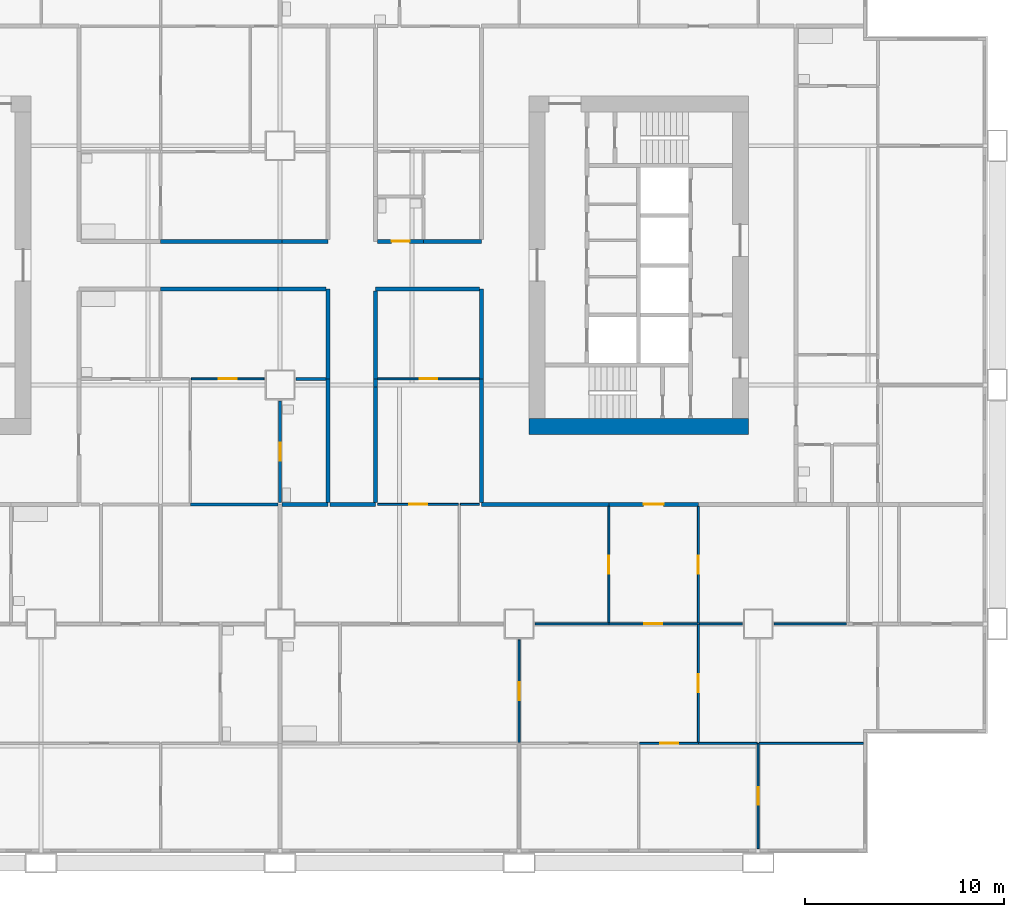
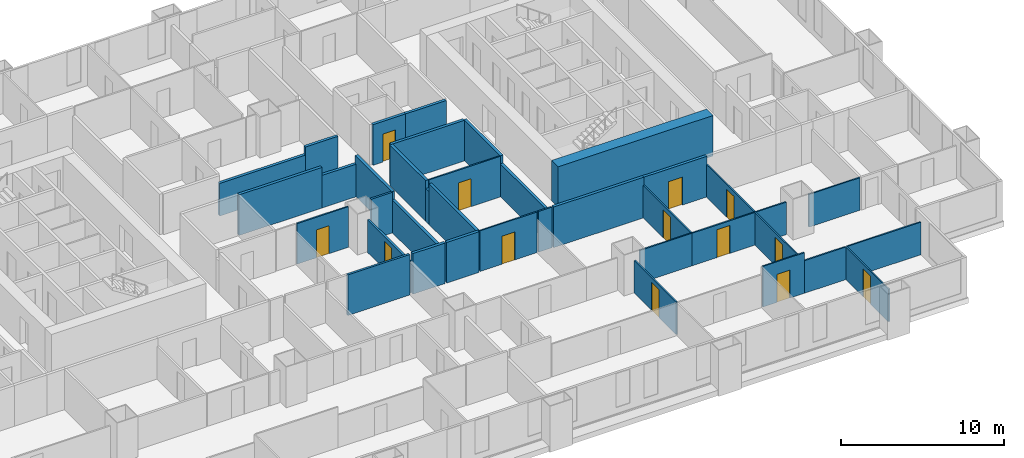
# One storey, part 6 of 14: 38 walls, 13 doors, 13 openings.
"""IFC4 building model written with IfcOpenShell, lengths in metres."""

from ifc_helpers import new_model, si_unit, direction, frame, frame_2d, origin, place, context, subcontext, project, spatial, rectangle, extrude, material, layer, layer_set, type_object, element, fill, save


model = new_model("IFC4")

# Units and contexts
model_context = context("Model", 3, precision=1e-05, world=origin(), true_north=direction((0.0, 1.0)))
body_context = subcontext(model_context, "Body", "Model", "MODEL_VIEW")
ifc_project = project(units=[si_unit("LENGTHUNIT", "METRE"), si_unit("AREAUNIT", "SQUARE_METRE"), si_unit("VOLUMEUNIT", "CUBIC_METRE"), si_unit("PLANEANGLEUNIT", "RADIAN"), si_unit("MASSUNIT", "GRAM", prefix="KILO")], contexts=[model_context])

# Site, building, storey
site_placement = place(None, origin())
site = spatial("IfcSite", under=ifc_project, at=site_placement, CompositionType="ELEMENT")
building_placement = place(site_placement, origin())
building = spatial("IfcBuilding", under=site, at=building_placement, Name="Kitamizu Gate Tower and Museum", CompositionType="ELEMENT")
storey_placement = place(building_placement, frame((0.0, 0.0, 74.85009765625)))
storey = spatial("IfcBuildingStorey", under=building, at=storey_placement, Name="L18", CompositionType="ELEMENT", Elevation=74.85009765625)

# Wall
ifc_material_1 = material(Name="Concrete Fc60", Category="concrete")
ifc_layer_1 = layer(ifc_material_1, 0.800048828125)
ifc_layer_set_1 = layer_set([ifc_layer_1], Name="Concrete Fc60")
wall_type_1 = type_object("IfcWallType", Name="Core wall 800", PredefinedType="SHEAR", material=ifc_layer_set_1)
wall_1_placement = place(storey_placement, frame((59.5, 21.89990234375, 0.0), z_axis=(0.0, 0.0, 1.0), x_axis=(-1.0, 0.0, 0.0)))
element("IfcWall", 1, at=wall_1_placement, inside=storey, type_object=wall_type_1, Name="Core wall ES", PredefinedType="SHEAR", context=body_context, shape_type="SweptSolid", body=[
    extrude(rectangle(XDim=11.0, YDim=0.800048828125, at=frame_2d((5.5, 0.0))), origin(), (0.0, 0.0, 1.0), 3.0498046875),
])

# Wall, opening, door
ifc_material_2 = material(Name="Gypsum board on galvanised stud")
ifc_layer_2 = layer(ifc_material_2, 0.10009765625)
ifc_layer_set_2 = layer_set([ifc_layer_2], Name="Gypsum board on galvanised stud")
wall_type_2 = type_object("IfcWallType", Name="Partition 100 NOT RATED", PredefinedType="PARTITIONING", material=ifc_layer_set_2)
wall_2_placement = place(storey_placement, frame((35.199951171875, 24.300048828125, 0.0), z_axis=(0.0, 0.0, 1.0), x_axis=(-1.0, 0.0, 0.0)))
wall_2 = element("IfcWall", 2, at=wall_2_placement, inside=storey, type_object=wall_type_2, Name="Partition L18-044", PredefinedType="PARTITIONING", context=body_context, shape_type="SweptSolid", body=[
    extrude(rectangle(XDim=3.64990234375, YDim=0.10009765625, at=frame_2d((1.824951171875, 0.0))), origin(), (0.0, 0.0, 1.0), 3.0498046875),
])
opening_1_placement = place(wall_2_placement, frame((1.375, 0.0, 0.0)))
opening_1 = element("IfcOpeningElement", 3, at=opening_1_placement, cuts=wall_2, Name="Opening L18-017", PredefinedType="OPENING", context=body_context, shape_type="SweptSolid", body=[
    extrude(rectangle(XDim=0.89990234375, YDim=2.10009765625, at=frame_2d((0.449951171875, 1.050048828125))), frame((0.0, 0.06005859375, 0.0), z_axis=(0.0, -1.0, 0.0), x_axis=(1.0, 0.0, 0.0)), (0.0, 0.0, 1.0), 0.1201171875),
])
ifc_material_3 = material(Name="Timber door set", Category="wood")
door_type_1 = type_object("IfcDoorType", Name="Room door 900", OperationType="NOTDEFINED", PredefinedType="DOOR", material=ifc_material_3)
door_1_placement = place(opening_1_placement, origin())
door_1 = element("IfcDoor", 4, at=door_1_placement, inside=storey, type_object=door_type_1, Name="Door L18-017", OperationType="SINGLE_SWING_LEFT", OverallHeight=2.10009765625, OverallWidth=0.89990234375, PredefinedType="DOOR", context=body_context, shape_type="SweptSolid", body=[
    extrude(rectangle(XDim=0.89990234375, YDim=2.10009765625, at=frame_2d((0.449951171875, 1.050048828125))), frame((0.0, 0.02490234375, 0.0), z_axis=(0.0, -1.0, 0.0), x_axis=(1.0, 0.0, 0.0)), (0.0, 0.0, 1.0), 0.050048828125),
])
fill(opening_1, door_1)

wall_3_placement = place(storey_placement, frame((60.0, 0.719970703125, 0.0), z_axis=(0.0, 0.0, 1.0), x_axis=(0.0, 1.0, 0.0)))
wall_3 = element("IfcWall", 5, at=wall_3_placement, inside=storey, type_object=wall_type_2, Name="Partition L18-079", PredefinedType="PARTITIONING", context=body_context, shape_type="SweptSolid", body=[
    extrude(rectangle(XDim=5.280029296875, YDim=0.10009765625, at=frame_2d((2.64013671875, 0.0))), origin(), (0.0, 0.0, 1.0), 2.449951171875),
])
opening_2_placement = place(wall_3_placement, frame((2.18994140625, 0.0, 0.0)))
opening_2 = element("IfcOpeningElement", 6, at=opening_2_placement, cuts=wall_3, Name="Opening L18-031", PredefinedType="OPENING", context=body_context, shape_type="SweptSolid", body=[
    extrude(rectangle(XDim=0.89990234375, YDim=2.10009765625, at=frame_2d((0.449951171875, 1.050048828125))), frame((0.0, 0.06005859375, 0.0), z_axis=(0.0, -1.0, 0.0), x_axis=(1.0, 0.0, 0.0)), (0.0, 0.0, 1.0), 0.1201171875),
])
door_2_placement = place(opening_2_placement, frame((0.89990234375, 0.0, 0.0), x_axis=(-1.0, 0.0, 0.0)))
door_2 = element("IfcDoor", 7, at=door_2_placement, inside=storey, type_object=door_type_1, Name="Door L18-031", OperationType="SINGLE_SWING_RIGHT", OverallHeight=2.10009765625, OverallWidth=0.89990234375, PredefinedType="DOOR", context=body_context, shape_type="SweptSolid", body=[
    extrude(rectangle(XDim=0.89990234375, YDim=2.10009765625, at=frame_2d((0.449951171875, 1.050048828125))), frame((0.0, 0.02490234375, 0.0), z_axis=(0.0, -1.0, 0.0), x_axis=(1.0, 0.0, 0.0)), (0.0, 0.0, 1.0), 0.050048828125),
])
fill(opening_2, door_2)

wall_4_placement = place(storey_placement, frame((57.0, 6.0, 0.0), z_axis=(0.0, 0.0, 1.0), x_axis=(-1.0, 0.0, 0.0)))
wall_4 = element("IfcWall", 8, at=wall_4_placement, inside=storey, type_object=wall_type_2, Name="Partition L18-080", PredefinedType="PARTITIONING", context=body_context, shape_type="SweptSolid", body=[
    extrude(rectangle(XDim=2.949951171875, YDim=0.10009765625, at=frame_2d((1.47509765625, 0.0))), origin(), (0.0, 0.0, 1.0), 3.0498046875),
])
opening_3_placement = place(wall_4_placement, frame((1.02490234375, 0.0, 0.0)))
opening_3 = element("IfcOpeningElement", 9, at=opening_3_placement, cuts=wall_4, Name="Opening L18-028", PredefinedType="OPENING", context=body_context, shape_type="SweptSolid", body=[
    extrude(rectangle(XDim=0.89990234375, YDim=2.10009765625, at=frame_2d((0.449951171875, 1.050048828125))), frame((0.0, 0.06005859375, 0.0), z_axis=(0.0, -1.0, 0.0), x_axis=(1.0, 0.0, 0.0)), (0.0, 0.0, 1.0), 0.1201171875),
])
door_3_placement = place(opening_3_placement, origin())
door_3 = element("IfcDoor", 10, at=door_3_placement, inside=storey, type_object=door_type_1, Name="Door L18-028", OperationType="SINGLE_SWING_LEFT", OverallHeight=2.10009765625, OverallWidth=0.89990234375, PredefinedType="DOOR", context=body_context, shape_type="SweptSolid", body=[
    extrude(rectangle(XDim=0.89990234375, YDim=2.10009765625, at=frame_2d((0.449951171875, 1.050048828125))), frame((0.0, 0.02490234375, 0.0), z_axis=(0.0, -1.0, 0.0), x_axis=(1.0, 0.0, 0.0)), (0.0, 0.0, 1.0), 0.050048828125),
])
fill(opening_3, door_3)

# Walls
wall_5_placement = place(storey_placement, frame((59.949951171875, 6.0, 0.0), z_axis=(0.0, 0.0, 1.0), x_axis=(-1.0, 0.0, 0.0)))
element("IfcWall", 11, at=wall_5_placement, inside=storey, type_object=wall_type_2, Name="Partition L18-081", PredefinedType="PARTITIONING", context=body_context, shape_type="SweptSolid", body=[
    extrude(rectangle(XDim=2.949951171875, YDim=0.10009765625, at=frame_2d((1.47509765625, 0.0))), origin(), (0.0, 0.0, 1.0), 2.449951171875),
])
wall_6_placement = place(storey_placement, frame((65.280029296875, 6.0, 0.0), z_axis=(0.0, 0.0, 1.0), x_axis=(-1.0, 0.0, 0.0)))
element("IfcWall", 12, at=wall_6_placement, inside=storey, type_object=wall_type_2, Name="Partition L18-082", PredefinedType="PARTITIONING", context=body_context, shape_type="SweptSolid", body=[
    extrude(rectangle(XDim=5.22998046875, YDim=0.10009765625, at=frame_2d((2.614990234375, 0.0))), origin(), (0.0, 0.0, 1.0), 2.449951171875),
])

# Wall, opening, door
wall_7_placement = place(storey_placement, frame((48.0, 6.050048828125, 0.0), z_axis=(0.0, 0.0, 1.0), x_axis=(0.0, 1.0, 0.0)))
wall_7 = element("IfcWall", 13, at=wall_7_placement, inside=storey, type_object=wall_type_2, Name="Partition L18-085", PredefinedType="PARTITIONING", context=body_context, shape_type="SweptSolid", body=[
    extrude(rectangle(XDim=5.14990234375, YDim=0.10009765625, at=frame_2d((2.574951171875, 0.0))), origin(), (0.0, 0.0, 1.0), 2.449951171875),
])
opening_4_placement = place(wall_7_placement, frame((2.125, 0.0, 0.0)))
opening_4 = element("IfcOpeningElement", 14, at=opening_4_placement, cuts=wall_7, Name="Opening L18-029", PredefinedType="OPENING", context=body_context, shape_type="SweptSolid", body=[
    extrude(rectangle(XDim=0.89990234375, YDim=2.10009765625, at=frame_2d((0.449951171875, 1.050048828125))), frame((0.0, 0.06005859375, 0.0), z_axis=(0.0, -1.0, 0.0), x_axis=(1.0, 0.0, 0.0)), (0.0, 0.0, 1.0), 0.1201171875),
])
door_4_placement = place(opening_4_placement, frame((0.89990234375, 0.0, 0.0), x_axis=(-1.0, 0.0, 0.0)))
door_4 = element("IfcDoor", 15, at=door_4_placement, inside=storey, type_object=door_type_1, Name="Door L18-029", OperationType="SINGLE_SWING_RIGHT", OverallHeight=2.10009765625, OverallWidth=0.89990234375, PredefinedType="DOOR", context=body_context, shape_type="SweptSolid", body=[
    extrude(rectangle(XDim=0.89990234375, YDim=2.10009765625, at=frame_2d((0.449951171875, 1.050048828125))), frame((0.0, 0.02490234375, 0.0), z_axis=(0.0, -1.0, 0.0), x_axis=(1.0, 0.0, 0.0)), (0.0, 0.0, 1.0), 0.050048828125),
])
fill(opening_4, door_4)

wall_8_placement = place(storey_placement, frame((57.0, 6.050048828125, 0.0), z_axis=(0.0, 0.0, 1.0), x_axis=(0.0, 1.0, 0.0)))
wall_8 = element("IfcWall", 16, at=wall_8_placement, inside=storey, type_object=wall_type_2, Name="Partition L18-088", PredefinedType="PARTITIONING", context=body_context, shape_type="SweptSolid", body=[
    extrude(rectangle(XDim=5.949951171875, YDim=0.10009765625, at=frame_2d((2.97509765625, 0.0))), origin(), (0.0, 0.0, 1.0), 2.449951171875),
])
opening_5_placement = place(wall_8_placement, frame((2.52490234375, 0.0, 0.0)))
opening_5 = element("IfcOpeningElement", 17, at=opening_5_placement, cuts=wall_8, Name="Opening L18-030", PredefinedType="OPENING", context=body_context, shape_type="SweptSolid", body=[
    extrude(rectangle(XDim=0.89990234375, YDim=2.10009765625, at=frame_2d((0.449951171875, 1.050048828125))), frame((0.0, 0.06005859375, 0.0), z_axis=(0.0, -1.0, 0.0), x_axis=(1.0, 0.0, 0.0)), (0.0, 0.0, 1.0), 0.1201171875),
])
door_5_placement = place(opening_5_placement, frame((0.89990234375, 0.0, 0.0), x_axis=(-1.0, 0.0, 0.0)))
door_5 = element("IfcDoor", 18, at=door_5_placement, inside=storey, type_object=door_type_1, Name="Door L18-030", OperationType="SINGLE_SWING_LEFT", OverallHeight=2.10009765625, OverallWidth=0.89990234375, PredefinedType="DOOR", context=body_context, shape_type="SweptSolid", body=[
    extrude(rectangle(XDim=0.89990234375, YDim=2.10009765625, at=frame_2d((0.449951171875, 1.050048828125))), frame((0.0, 0.02490234375, 0.0), z_axis=(0.0, -1.0, 0.0), x_axis=(1.0, 0.0, 0.0)), (0.0, 0.0, 1.0), 0.050048828125),
])
fill(opening_5, door_5)

# Wall
wall_9_placement = place(storey_placement, frame((52.5, 12.0, 0.0), z_axis=(0.0, 0.0, 1.0), x_axis=(-1.0, 0.0, 0.0)))
element("IfcWall", 19, at=wall_9_placement, inside=storey, type_object=wall_type_2, Name="Partition L18-089", PredefinedType="PARTITIONING", context=body_context, shape_type="SweptSolid", body=[
    extrude(rectangle(XDim=3.699951171875, YDim=0.10009765625, at=frame_2d((1.85009765625, 0.0))), origin(), (0.0, 0.0, 1.0), 2.449951171875),
])

# Wall, opening, door
wall_10_placement = place(storey_placement, frame((56.949951171875, 12.0, 0.0), z_axis=(0.0, 0.0, 1.0), x_axis=(-1.0, 0.0, 0.0)))
wall_10 = element("IfcWall", 20, at=wall_10_placement, inside=storey, type_object=wall_type_2, Name="Partition L18-090", PredefinedType="PARTITIONING", context=body_context, shape_type="SweptSolid", body=[
    extrude(rectangle(XDim=4.449951171875, YDim=0.10009765625, at=frame_2d((2.22509765625, 0.0))), origin(), (0.0, 0.0, 1.0), 2.449951171875),
])
opening_6_placement = place(wall_10_placement, frame((1.77490234375, 0.0, 0.0)))
opening_6 = element("IfcOpeningElement", 21, at=opening_6_placement, cuts=wall_10, Name="Opening L18-027", PredefinedType="OPENING", context=body_context, shape_type="SweptSolid", body=[
    extrude(rectangle(XDim=0.89990234375, YDim=2.10009765625, at=frame_2d((0.449951171875, 1.050048828125))), frame((0.0, 0.06005859375, 0.0), z_axis=(0.0, -1.0, 0.0), x_axis=(1.0, 0.0, 0.0)), (0.0, 0.0, 1.0), 0.1201171875),
])
door_6_placement = place(opening_6_placement, origin())
door_6 = element("IfcDoor", 22, at=door_6_placement, inside=storey, type_object=door_type_1, Name="Door L18-027", OperationType="SINGLE_SWING_RIGHT", OverallHeight=2.10009765625, OverallWidth=0.89990234375, PredefinedType="DOOR", context=body_context, shape_type="SweptSolid", body=[
    extrude(rectangle(XDim=0.89990234375, YDim=2.10009765625, at=frame_2d((0.449951171875, 1.050048828125))), frame((0.0, 0.02490234375, 0.0), z_axis=(0.0, -1.0, 0.0), x_axis=(1.0, 0.0, 0.0)), (0.0, 0.0, 1.0), 0.050048828125),
])
fill(opening_6, door_6)

# Walls
wall_11_placement = place(storey_placement, frame((59.199951171875, 12.0, 0.0), z_axis=(0.0, 0.0, 1.0), x_axis=(-1.0, 0.0, 0.0)))
element("IfcWall", 23, at=wall_11_placement, inside=storey, type_object=wall_type_2, Name="Partition L18-092", PredefinedType="PARTITIONING", context=body_context, shape_type="SweptSolid", body=[
    extrude(rectangle(XDim=2.14990234375, YDim=0.10009765625, at=frame_2d((1.074951171875, 0.0))), origin(), (0.0, 0.0, 1.0), 2.449951171875),
])
wall_12_placement = place(storey_placement, frame((64.425048828125, 12.0, 0.0), z_axis=(0.0, 0.0, 1.0), x_axis=(-1.0, 0.0, 0.0)))
element("IfcWall", 24, at=wall_12_placement, inside=storey, type_object=wall_type_2, Name="Partition L18-093", PredefinedType="PARTITIONING", context=body_context, shape_type="SweptSolid", body=[
    extrude(rectangle(XDim=3.625, YDim=0.10009765625, at=frame_2d((1.8125, 0.0))), origin(), (0.0, 0.0, 1.0), 2.449951171875),
])

# Wall, opening, door
wall_13_placement = place(storey_placement, frame((44.949951171875, 18.0, 0.0), z_axis=(0.0, 0.0, 1.0), x_axis=(-1.0, 0.0, 0.0)))
wall_13 = element("IfcWall", 25, at=wall_13_placement, inside=storey, type_object=wall_type_2, Name="Partition L18-098", PredefinedType="PARTITIONING", context=body_context, shape_type="SweptSolid", body=[
    extrude(rectangle(XDim=4.050048828125, YDim=0.10009765625, at=frame_2d((2.02490234375, 0.0))), origin(), (0.0, 0.0, 1.0), 3.0498046875),
])
opening_7_placement = place(wall_13_placement, frame((1.574951171875, 0.0, 0.0)))
opening_7 = element("IfcOpeningElement", 26, at=opening_7_placement, cuts=wall_13, Name="Opening L18-041", PredefinedType="OPENING", context=body_context, shape_type="SweptSolid", body=[
    extrude(rectangle(XDim=0.89990234375, YDim=2.10009765625, at=frame_2d((0.449951171875, 1.050048828125))), frame((0.0, 0.06005859375, 0.0), z_axis=(0.0, -1.0, 0.0), x_axis=(1.0, 0.0, 0.0)), (0.0, 0.0, 1.0), 0.1201171875),
])
door_7_placement = place(opening_7_placement, frame((0.89990234375, 0.0, 0.0), x_axis=(-1.0, 0.0, 0.0)))
door_7 = element("IfcDoor", 27, at=door_7_placement, inside=storey, type_object=door_type_1, Name="Door L18-041", OperationType="SINGLE_SWING_LEFT", OverallHeight=2.10009765625, OverallWidth=0.89990234375, PredefinedType="DOOR", context=body_context, shape_type="SweptSolid", body=[
    extrude(rectangle(XDim=0.89990234375, YDim=2.10009765625, at=frame_2d((0.449951171875, 1.050048828125))), frame((0.0, 0.02490234375, 0.0), z_axis=(0.0, -1.0, 0.0), x_axis=(1.0, 0.0, 0.0)), (0.0, 0.0, 1.0), 0.050048828125),
])
fill(opening_7, door_7)

wall_14_placement = place(storey_placement, frame((52.5, 12.050048828125, 0.0), z_axis=(0.0, 0.0, 1.0), x_axis=(0.0, 1.0, 0.0)))
wall_14 = element("IfcWall", 28, at=wall_14_placement, inside=storey, type_object=wall_type_2, Name="Partition L18-100", PredefinedType="PARTITIONING", context=body_context, shape_type="SweptSolid", body=[
    extrude(rectangle(XDim=5.849853515625, YDim=0.10009765625, at=frame_2d((2.9248046875, 0.0))), origin(), (0.0, 0.0, 1.0), 2.449951171875),
])
opening_8_placement = place(wall_14_placement, frame((2.47509765625, 0.0, 0.0)))
opening_8 = element("IfcOpeningElement", 29, at=opening_8_placement, cuts=wall_14, Name="Opening L18-037", PredefinedType="OPENING", context=body_context, shape_type="SweptSolid", body=[
    extrude(rectangle(XDim=0.89990234375, YDim=2.10009765625, at=frame_2d((0.449951171875, 1.050048828125))), frame((0.0, 0.06005859375, 0.0), z_axis=(0.0, -1.0, 0.0), x_axis=(1.0, 0.0, 0.0)), (0.0, 0.0, 1.0), 0.1201171875),
])
door_8_placement = place(opening_8_placement, origin())
door_8 = element("IfcDoor", 30, at=door_8_placement, inside=storey, type_object=door_type_1, Name="Door L18-037", OperationType="SINGLE_SWING_LEFT", OverallHeight=2.10009765625, OverallWidth=0.89990234375, PredefinedType="DOOR", context=body_context, shape_type="SweptSolid", body=[
    extrude(rectangle(XDim=0.89990234375, YDim=2.10009765625, at=frame_2d((0.449951171875, 1.050048828125))), frame((0.0, 0.02490234375, 0.0), z_axis=(0.0, -1.0, 0.0), x_axis=(1.0, 0.0, 0.0)), (0.0, 0.0, 1.0), 0.050048828125),
])
fill(opening_8, door_8)

# Wall
wall_15_placement = place(storey_placement, frame((46.0, 18.0, 0.0), z_axis=(0.0, 0.0, 1.0), x_axis=(-1.0, 0.0, 0.0)))
element("IfcWall", 31, at=wall_15_placement, inside=storey, type_object=wall_type_2, Name="Partition L18-101", PredefinedType="PARTITIONING", context=body_context, shape_type="SweptSolid", body=[
    extrude(rectangle(XDim=0.949951171875, YDim=0.10009765625, at=frame_2d((0.47509765625, 0.0))), origin(), (0.0, 0.0, 1.0), 3.0498046875),
])

# Wall, opening, door
wall_16_placement = place(storey_placement, frame((57.0, 12.050048828125, 0.0), z_axis=(0.0, 0.0, 1.0), x_axis=(0.0, 1.0, 0.0)))
wall_16 = element("IfcWall", 32, at=wall_16_placement, inside=storey, type_object=wall_type_2, Name="Partition L18-103", PredefinedType="PARTITIONING", context=body_context, shape_type="SweptSolid", body=[
    extrude(rectangle(XDim=5.849853515625, YDim=0.10009765625, at=frame_2d((2.9248046875, 0.0))), origin(), (0.0, 0.0, 1.0), 2.449951171875),
])
opening_9_placement = place(wall_16_placement, frame((2.47509765625, 0.0, 0.0)))
opening_9 = element("IfcOpeningElement", 33, at=opening_9_placement, cuts=wall_16, Name="Opening L18-038", PredefinedType="OPENING", context=body_context, shape_type="SweptSolid", body=[
    extrude(rectangle(XDim=0.89990234375, YDim=2.10009765625, at=frame_2d((0.449951171875, 1.050048828125))), frame((0.0, 0.06005859375, 0.0), z_axis=(0.0, -1.0, 0.0), x_axis=(1.0, 0.0, 0.0)), (0.0, 0.0, 1.0), 0.1201171875),
])
door_9_placement = place(opening_9_placement, frame((0.89990234375, 0.0, 0.0), x_axis=(-1.0, 0.0, 0.0)))
door_9 = element("IfcDoor", 34, at=door_9_placement, inside=storey, type_object=door_type_1, Name="Door L18-038", OperationType="SINGLE_SWING_LEFT", OverallHeight=2.10009765625, OverallWidth=0.89990234375, PredefinedType="DOOR", context=body_context, shape_type="SweptSolid", body=[
    extrude(rectangle(XDim=0.89990234375, YDim=2.10009765625, at=frame_2d((0.449951171875, 1.050048828125))), frame((0.0, 0.02490234375, 0.0), z_axis=(0.0, -1.0, 0.0), x_axis=(1.0, 0.0, 0.0)), (0.0, 0.0, 1.0), 0.050048828125),
])
fill(opening_9, door_9)

wall_17_placement = place(storey_placement, frame((46.0, 24.300048828125, 0.0), z_axis=(0.0, 0.0, 1.0), x_axis=(-1.0, 0.0, 0.0)))
wall_17 = element("IfcWall", 35, at=wall_17_placement, inside=storey, type_object=wall_type_2, Name="Partition L18-113", PredefinedType="PARTITIONING", context=body_context, shape_type="SweptSolid", body=[
    extrude(rectangle(XDim=5.10009765625, YDim=0.10009765625, at=frame_2d((2.550048828125, 0.0))), origin(), (0.0, 0.0, 1.0), 3.0498046875),
])
opening_10_placement = place(wall_17_placement, frame((2.10009765625, 0.0, 0.0)))
opening_10 = element("IfcOpeningElement", 36, at=opening_10_placement, cuts=wall_17, Name="Opening L18-042", PredefinedType="OPENING", context=body_context, shape_type="SweptSolid", body=[
    extrude(rectangle(XDim=0.89990234375, YDim=2.10009765625, at=frame_2d((0.449951171875, 1.050048828125))), frame((0.0, 0.06005859375, 0.0), z_axis=(0.0, -1.0, 0.0), x_axis=(1.0, 0.0, 0.0)), (0.0, 0.0, 1.0), 0.1201171875),
])
door_10_placement = place(opening_10_placement, frame((0.89990234375, 0.0, 0.0), x_axis=(-1.0, 0.0, 0.0)))
door_10 = element("IfcDoor", 37, at=door_10_placement, inside=storey, type_object=door_type_1, Name="Door L18-042", OperationType="SINGLE_SWING_RIGHT", OverallHeight=2.10009765625, OverallWidth=0.89990234375, PredefinedType="DOOR", context=body_context, shape_type="SweptSolid", body=[
    extrude(rectangle(XDim=0.89990234375, YDim=2.10009765625, at=frame_2d((0.449951171875, 1.050048828125))), frame((0.0, 0.02490234375, 0.0), z_axis=(0.0, -1.0, 0.0), x_axis=(1.0, 0.0, 0.0)), (0.0, 0.0, 1.0), 0.050048828125),
])
fill(opening_10, door_10)

# Wall
ifc_material_4 = material(Name="Gypsum board on galvanised stud")
ifc_layer_3 = layer(ifc_material_4, 0.14990234375)
ifc_layer_set_3 = layer_set([ifc_layer_3], Name="Gypsum board on galvanised stud")
wall_type_3 = type_object("IfcWallType", Name="Partition 150", PredefinedType="PARTITIONING", material=ifc_layer_set_3)
wall_18_placement = place(storey_placement, frame((35.89990234375, 18.0, 0.0), z_axis=(0.0, 0.0, 1.0), x_axis=(-1.0, 0.0, 0.0)))
element("IfcWall", 38, at=wall_18_placement, inside=storey, type_object=wall_type_3, Name="Partition L18-036", PredefinedType="PARTITIONING", context=body_context, shape_type="SweptSolid", body=[
    extrude(rectangle(XDim=4.39990234375, YDim=0.14990234375, at=frame_2d((2.199951171875, 0.0))), origin(), (0.0, 0.0, 1.0), 3.0498046875),
])

# Wall, opening, door
wall_19_placement = place(storey_placement, frame((36.0, 18.10009765625, 0.0), z_axis=(0.0, 0.0, 1.0), x_axis=(0.0, 1.0, 0.0)))
wall_19 = element("IfcWall", 39, at=wall_19_placement, inside=storey, type_object=wall_type_3, Name="Partition L18-043", PredefinedType="PARTITIONING", context=body_context, shape_type="SweptSolid", body=[
    extrude(rectangle(XDim=5.099853515625, YDim=0.14990234375, at=frame_2d((2.5498046875, 0.0))), origin(), (0.0, 0.0, 1.0), 2.449951171875),
])
opening_11_placement = place(wall_19_placement, frame((2.10009765625, 0.0, 0.0)))
opening_11 = element("IfcOpeningElement", 40, at=opening_11_placement, cuts=wall_19, Name="Opening L18-015", PredefinedType="OPENING", context=body_context, shape_type="SweptSolid", body=[
    extrude(rectangle(XDim=0.89990234375, YDim=2.10009765625, at=frame_2d((0.449951171875, 1.050048828125))), frame((0.0, 0.0849609375, 0.0), z_axis=(0.0, -1.0, 0.0), x_axis=(1.0, 0.0, 0.0)), (0.0, 0.0, 1.0), 0.169921875),
])
ifc_material_5 = material(Name="Timber door set", Category="wood")
door_type_2 = type_object("IfcDoorType", Name="Bathroom door 900", OperationType="NOTDEFINED", PredefinedType="DOOR", material=ifc_material_5)
door_11_placement = place(opening_11_placement, frame((0.89990234375, 0.0, 0.0), x_axis=(-1.0, 0.0, 0.0)))
door_11 = element("IfcDoor", 41, at=door_11_placement, inside=storey, type_object=door_type_2, Name="Bathroom door L18-015", OperationType="SINGLE_SWING_RIGHT", OverallHeight=2.10009765625, OverallWidth=0.89990234375, PredefinedType="DOOR", context=body_context, shape_type="SweptSolid", body=[
    extrude(rectangle(XDim=0.89990234375, YDim=2.10009765625, at=frame_2d((0.449951171875, 1.050048828125))), frame((0.0, 0.02490234375, 0.0), z_axis=(0.0, -1.0, 0.0), x_axis=(1.0, 0.0, 0.0)), (0.0, 0.0, 1.0), 0.050048828125),
])
fill(opening_11, door_11)

# Walls
wall_20_placement = place(storey_placement, frame((38.300048828125, 24.300048828125, 0.0), z_axis=(0.0, 0.0, 1.0), x_axis=(-1.0, 0.0, 0.0)))
element("IfcWall", 42, at=wall_20_placement, inside=storey, type_object=wall_type_3, Name="Partition L18-045", PredefinedType="PARTITIONING", context=body_context, shape_type="SweptSolid", body=[
    extrude(rectangle(XDim=1.5, YDim=0.14990234375, at=frame_2d((0.75, 0.0))), origin(), (0.0, 0.0, 1.0), 3.0498046875),
])
ifc_material_6 = material(Name="Gypsum board on galvanised stud")
ifc_layer_4 = layer(ifc_material_6, 0.199951171875)
ifc_layer_set_4 = layer_set([ifc_layer_4], Name="Gypsum board on galvanised stud")
wall_type_4 = type_object("IfcWallType", Name="Partition 200", PredefinedType="PARTITIONING", material=ifc_layer_set_4)
wall_21_placement = place(storey_placement, frame((36.10009765625, 18.0, 0.0), z_axis=(0.0, 0.0, 1.0), x_axis=(1.0, 0.0, 0.0)))
element("IfcWall", 43, at=wall_21_placement, inside=storey, type_object=wall_type_4, Name="Partition L18-046", PredefinedType="PARTITIONING", context=body_context, shape_type="SweptSolid", body=[
    extrude(rectangle(XDim=2.2998046875, YDim=0.199951171875, at=frame_2d((1.14990234375, 0.0))), origin(), (0.0, 0.0, 1.0), 3.0498046875),
])
wall_22_placement = place(storey_placement, frame((38.39990234375, 18.10009765625, 0.0), z_axis=(0.0, 0.0, 1.0), x_axis=(0.0, 1.0, 0.0)))
element("IfcWall", 44, at=wall_22_placement, inside=storey, type_object=wall_type_4, Name="Partition L18-047", PredefinedType="PARTITIONING", context=body_context, shape_type="SweptSolid", body=[
    extrude(rectangle(XDim=6.199951171875, YDim=0.199951171875, at=frame_2d((3.10009765625, 0.0))), origin(), (0.0, 0.0, 1.0), 2.449951171875),
])
wall_23_placement = place(storey_placement, frame((38.39990234375, 24.300048828125, 0.0), z_axis=(0.0, 0.0, 1.0), x_axis=(0.0, 1.0, 0.0)))
element("IfcWall", 45, at=wall_23_placement, inside=storey, type_object=wall_type_4, Name="Partition L18-051", PredefinedType="PARTITIONING", context=body_context, shape_type="SweptSolid", body=[
    extrude(rectangle(XDim=4.5, YDim=0.199951171875, at=frame_2d((2.25, 0.0))), origin(), (0.0, 0.0, 1.0), 3.0498046875),
])
wall_24_placement = place(storey_placement, frame((38.300048828125, 28.800048828125, 0.0), z_axis=(0.0, 0.0, 1.0), x_axis=(-1.0, 0.0, 0.0)))
element("IfcWall", 46, at=wall_24_placement, inside=storey, type_object=wall_type_4, Name="Partition L18-052", PredefinedType="PARTITIONING", context=body_context, shape_type="SweptSolid", body=[
    extrude(rectangle(XDim=2.400146484375, YDim=0.199951171875, at=frame_2d((1.2001953125, 0.0))), origin(), (0.0, 0.0, 1.0), 2.449951171875),
])
wall_25_placement = place(storey_placement, frame((35.89990234375, 28.800048828125, 0.0), z_axis=(0.0, 0.0, 1.0), x_axis=(-1.0, 0.0, 0.0)))
element("IfcWall", 47, at=wall_25_placement, inside=storey, type_object=wall_type_4, Name="Partition L18-053", PredefinedType="PARTITIONING", context=body_context, shape_type="SweptSolid", body=[
    extrude(rectangle(XDim=5.89990234375, YDim=0.199951171875, at=frame_2d((2.949951171875, 0.0))), origin(), (0.0, 0.0, 1.0), 3.0498046875),
])
wall_26_placement = place(storey_placement, frame((40.800048828125, 18.0, 0.0), z_axis=(0.0, 0.0, 1.0), x_axis=(-1.0, 0.0, 0.0)))
element("IfcWall", 48, at=wall_26_placement, inside=storey, type_object=wall_type_4, Name="Partition L18-099", PredefinedType="PARTITIONING", context=body_context, shape_type="SweptSolid", body=[
    extrude(rectangle(XDim=2.300048828125, YDim=0.199951171875, at=frame_2d((1.14990234375, 0.0))), origin(), (0.0, 0.0, 1.0), 3.0498046875),
])
wall_27_placement = place(storey_placement, frame((52.5, 18.0, 0.0), z_axis=(0.0, 0.0, 1.0), x_axis=(-1.0, 0.0, 0.0)))
element("IfcWall", 49, at=wall_27_placement, inside=storey, type_object=wall_type_4, Name="Partition L18-102", PredefinedType="PARTITIONING", context=body_context, shape_type="SweptSolid", body=[
    extrude(rectangle(XDim=6.39990234375, YDim=0.199951171875, at=frame_2d((3.199951171875, 0.0))), origin(), (0.0, 0.0, 1.0), 3.0498046875),
])

# Wall, opening, door
wall_28_placement = place(storey_placement, frame((57.0, 18.0, 0.0), z_axis=(0.0, 0.0, 1.0), x_axis=(-1.0, 0.0, 0.0)))
wall_28 = element("IfcWall", 50, at=wall_28_placement, inside=storey, type_object=wall_type_4, Name="Partition L18-104", PredefinedType="PARTITIONING", context=body_context, shape_type="SweptSolid", body=[
    extrude(rectangle(XDim=4.5, YDim=0.199951171875, at=frame_2d((2.25, 0.0))), origin(), (0.0, 0.0, 1.0), 3.0498046875),
])
opening_12_placement = place(wall_28_placement, frame((1.75, 0.0, 0.0)))
opening_12 = element("IfcOpeningElement", 51, at=opening_12_placement, cuts=wall_28, Name="Opening L18-026", PredefinedType="OPENING", context=body_context, shape_type="SweptSolid", body=[
    extrude(rectangle(XDim=1.0, YDim=2.10009765625, at=frame_2d((0.5, 1.050048828125))), frame((0.0, 0.10986328125, 0.0), z_axis=(0.0, -1.0, 0.0), x_axis=(1.0, 0.0, 0.0)), (0.0, 0.0, 1.0), 0.219970703125),
])
ifc_material_7 = material(Name="Timber door set", Category="wood")
door_type_3 = type_object("IfcDoorType", Name="Flat entrance door 1000", OperationType="NOTDEFINED", PredefinedType="DOOR", material=ifc_material_7)
door_12_placement = place(opening_12_placement, origin())
door_12 = element("IfcDoor", 52, at=door_12_placement, inside=storey, type_object=door_type_3, Name="Flat entrance door L18-026", OperationType="SINGLE_SWING_LEFT", OverallHeight=2.10009765625, OverallWidth=1.0, PredefinedType="DOOR", context=body_context, shape_type="SweptSolid", body=[
    extrude(rectangle(XDim=1.0, YDim=2.10009765625, at=frame_2d((0.5, 1.050048828125))), frame((0.0, 0.02490234375, 0.0), z_axis=(0.0, -1.0, 0.0), x_axis=(1.0, 0.0, 0.0)), (0.0, 0.0, 1.0), 0.050048828125),
])
fill(opening_12, door_12)

# Walls
wall_29_placement = place(storey_placement, frame((40.800048828125, 24.300048828125, 0.0), z_axis=(0.0, 0.0, 1.0), x_axis=(0.0, -1.0, 0.0)))
element("IfcWall", 53, at=wall_29_placement, inside=storey, type_object=wall_type_4, Name="Partition L18-114", PredefinedType="PARTITIONING", context=body_context, shape_type="SweptSolid", body=[
    extrude(rectangle(XDim=0.400146484375, YDim=0.199951171875, at=frame_2d((0.2001953125, 0.0))), origin(), (0.0, 0.0, 1.0), 2.449951171875),
])
wall_30_placement = place(storey_placement, frame((40.800048828125, 23.89990234375, 0.0), z_axis=(0.0, 0.0, 1.0), x_axis=(0.0, -1.0, 0.0)))
element("IfcWall", 54, at=wall_30_placement, inside=storey, type_object=wall_type_4, Name="Partition L18-115", PredefinedType="PARTITIONING", context=body_context, shape_type="SweptSolid", body=[
    extrude(rectangle(XDim=5.7998046875, YDim=0.199951171875, at=frame_2d((2.89990234375, 0.0))), origin(), (0.0, 0.0, 1.0), 3.0498046875),
])
wall_31_placement = place(storey_placement, frame((46.10009765625, 18.10009765625, 0.0), z_axis=(0.0, 0.0, 1.0), x_axis=(0.0, 1.0, 0.0)))
element("IfcWall", 55, at=wall_31_placement, inside=storey, type_object=wall_type_4, Name="Partition L18-116", PredefinedType="PARTITIONING", context=body_context, shape_type="SweptSolid", body=[
    extrude(rectangle(XDim=6.199951171875, YDim=0.199951171875, at=frame_2d((3.10009765625, 0.0))), origin(), (0.0, 0.0, 1.0), 2.449951171875),
])
wall_32_placement = place(storey_placement, frame((46.10009765625, 24.300048828125, 0.0), z_axis=(0.0, 0.0, 1.0), x_axis=(0.0, 1.0, 0.0)))
element("IfcWall", 56, at=wall_32_placement, inside=storey, type_object=wall_type_4, Name="Partition L18-117", PredefinedType="PARTITIONING", context=body_context, shape_type="SweptSolid", body=[
    extrude(rectangle(XDim=4.5, YDim=0.199951171875, at=frame_2d((2.25, 0.0))), origin(), (0.0, 0.0, 1.0), 3.0498046875),
])
wall_33_placement = place(storey_placement, frame((46.0, 28.800048828125, 0.0), z_axis=(0.0, 0.0, 1.0), x_axis=(-1.0, 0.0, 0.0)))
element("IfcWall", 57, at=wall_33_placement, inside=storey, type_object=wall_type_4, Name="Partition L18-118", PredefinedType="PARTITIONING", context=body_context, shape_type="SweptSolid", body=[
    extrude(rectangle(XDim=5.199951171875, YDim=0.199951171875, at=frame_2d((2.60009765625, 0.0))), origin(), (0.0, 0.0, 1.0), 3.0498046875),
])
wall_34_placement = place(storey_placement, frame((40.800048828125, 28.699951171875, 0.0), z_axis=(0.0, 0.0, 1.0), x_axis=(0.0, -1.0, 0.0)))
element("IfcWall", 58, at=wall_34_placement, inside=storey, type_object=wall_type_4, Name="Partition L18-119", PredefinedType="PARTITIONING", context=body_context, shape_type="SweptSolid", body=[
    extrude(rectangle(XDim=4.39990234375, YDim=0.199951171875, at=frame_2d((2.199951171875, 0.0))), origin(), (0.0, 0.0, 1.0), 3.0498046875),
])
wall_35_placement = place(storey_placement, frame((30.0, 31.199951171875, 0.0), z_axis=(0.0, 0.0, 1.0), x_axis=(1.0, 0.0, 0.0)))
element("IfcWall", 59, at=wall_35_placement, inside=storey, type_object=wall_type_4, Name="Partition L18-168", PredefinedType="PARTITIONING", context=body_context, shape_type="SweptSolid", body=[
    extrude(rectangle(XDim=6.10009765625, YDim=0.199951171875, at=frame_2d((3.050048828125, 0.0))), origin(), (0.0, 0.0, 1.0), 2.449951171875),
])
wall_36_placement = place(storey_placement, frame((36.10009765625, 31.199951171875, 0.0), z_axis=(0.0, 0.0, 1.0), x_axis=(1.0, 0.0, 0.0)))
element("IfcWall", 60, at=wall_36_placement, inside=storey, type_object=wall_type_4, Name="Partition L18-169", PredefinedType="PARTITIONING", context=body_context, shape_type="SweptSolid", body=[
    extrude(rectangle(XDim=2.2998046875, YDim=0.199951171875, at=frame_2d((1.14990234375, 0.0))), origin(), (0.0, 0.0, 1.0), 3.0498046875),
])

# Wall, opening, door
wall_37_placement = place(storey_placement, frame((40.89990234375, 31.199951171875, 0.0), z_axis=(0.0, 0.0, 1.0), x_axis=(1.0, 0.0, 0.0)))
wall_37 = element("IfcWall", 61, at=wall_37_placement, inside=storey, type_object=wall_type_4, Name="Partition L18-192", PredefinedType="PARTITIONING", context=body_context, shape_type="SweptSolid", body=[
    extrude(rectangle(XDim=2.300048828125, YDim=0.199951171875, at=frame_2d((1.14990234375, 0.0))), origin(), (0.0, 0.0, 1.0), 3.0498046875),
])
opening_13_placement = place(wall_37_placement, frame((0.699951171875, 0.0, 0.0)))
opening_13 = element("IfcOpeningElement", 62, at=opening_13_placement, cuts=wall_37, Name="Opening L18-070", PredefinedType="OPENING", context=body_context, shape_type="SweptSolid", body=[
    extrude(rectangle(XDim=0.89990234375, YDim=2.10009765625, at=frame_2d((0.449951171875, 1.050048828125))), frame((0.0, 0.10986328125, 0.0), z_axis=(0.0, -1.0, 0.0), x_axis=(1.0, 0.0, 0.0)), (0.0, 0.0, 1.0), 0.219970703125),
])
ifc_material_8 = material(Name="Timber door set", Category="wood")
door_type_4 = type_object("IfcDoorType", Name="Store door 900", OperationType="NOTDEFINED", PredefinedType="DOOR", material=ifc_material_8)
door_13_placement = place(opening_13_placement, origin())
door_13 = element("IfcDoor", 63, at=door_13_placement, inside=storey, type_object=door_type_4, Name="Service entrance door L18-070", OperationType="SINGLE_SWING_LEFT", OverallHeight=2.10009765625, OverallWidth=0.89990234375, PredefinedType="DOOR", context=body_context, shape_type="SweptSolid", body=[
    extrude(rectangle(XDim=0.89990234375, YDim=2.10009765625, at=frame_2d((0.449951171875, 1.050048828125))), frame((0.0, 0.02490234375, 0.0), z_axis=(0.0, -1.0, 0.0), x_axis=(1.0, 0.0, 0.0)), (0.0, 0.0, 1.0), 0.050048828125),
])
fill(opening_13, door_13)

# Wall
wall_38_placement = place(storey_placement, frame((43.199951171875, 31.199951171875, 0.0), z_axis=(0.0, 0.0, 1.0), x_axis=(1.0, 0.0, 0.0)))
element("IfcWall", 64, at=wall_38_placement, inside=storey, type_object=wall_type_4, Name="Partition L18-195", PredefinedType="PARTITIONING", context=body_context, shape_type="SweptSolid", body=[
    extrude(rectangle(XDim=2.900146484375, YDim=0.199951171875, at=frame_2d((1.4501953125, 0.0))), origin(), (0.0, 0.0, 1.0), 3.0498046875),
])

save(model, "model.ifc")
